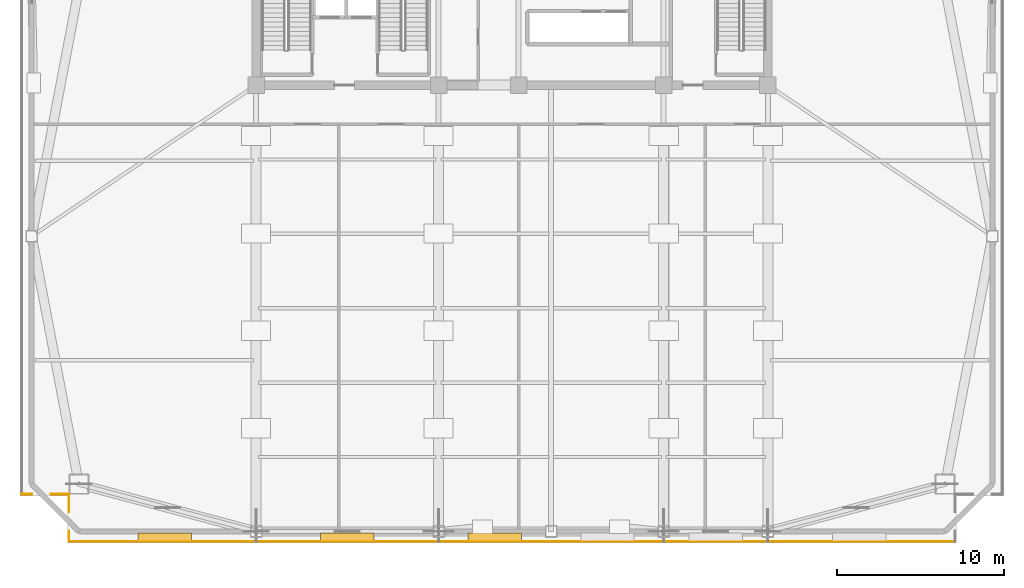
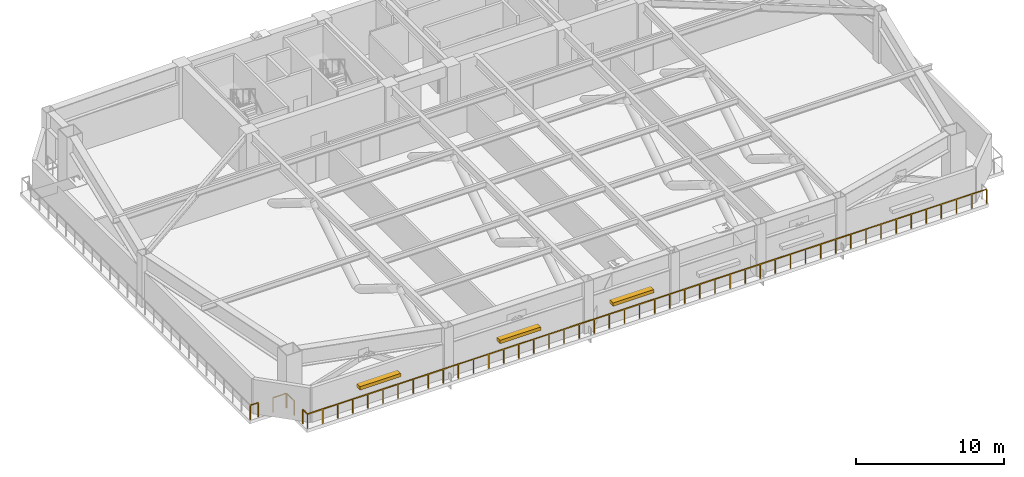
# One storey, part 6 of 11: 5 railings, 3 shading devices.
"""IFC4 building model written with IfcOpenShell, lengths in metres."""

from ifc_helpers import new_model, si_unit, direction, frame, origin, origin_2d, place, context, subcontext, project, spatial, rectangle, extrude, source, transform, mapped, material, type_object, element, save


model = new_model("IFC4")

# Units and contexts
model_context = context("Model", 3, precision=1e-05, world=origin(), true_north=direction((0.0, 1.0)))
body_context = subcontext(model_context, "Body", "Model", "MODEL_VIEW")
ifc_project = project(units=[si_unit("LENGTHUNIT", "METRE"), si_unit("AREAUNIT", "SQUARE_METRE"), si_unit("VOLUMEUNIT", "CUBIC_METRE"), si_unit("PLANEANGLEUNIT", "RADIAN"), si_unit("MASSUNIT", "GRAM", prefix="KILO")], contexts=[model_context])

# Site, building, storey
site_placement = place(None, origin())
site = spatial("IfcSite", under=ifc_project, at=site_placement, CompositionType="ELEMENT")
building_placement = place(site_placement, origin())
building = spatial("IfcBuilding", under=site, at=building_placement, Name="Giltprow Tower", CompositionType="ELEMENT")
storey_placement = place(building_placement, frame((0.0, 0.0, 191.199951171875)))
storey = spatial("IfcBuildingStorey", under=building, at=storey_placement, Name="L48", CompositionType="ELEMENT", Elevation=191.199951171875)

# Railings
ifc_material = material(Name="Anodized bronze", Category="metal")
railing_type = type_object("IfcRailingType", Name="RAIL-BALC-GUARD-1200", PredefinedType="BALUSTRADE", material=ifc_material)
railing_1_placement = place(storey_placement, frame((8.589111328125, 12.916015625, 0.0)))
element("IfcRailing", 1, at=railing_1_placement, inside=storey, type_object=railing_type, Name="L48 Corner Apron Edge Balustrade 1", PredefinedType="BALUSTRADE", context=body_context, shape_type="SweptSolid", body=[
    extrude(rectangle(XDim=0.048095703125, YDim=0.048095703125, at=origin_2d()), frame((0.0, 0.0, 1.17578125), z_axis=(-1.0, 0.0, 0.0), x_axis=(0.0, -1.0, 0.0)), (0.0, 0.0, 1.0), 1.02099609375),
    extrude(rectangle(XDim=0.0419921875, YDim=0.0419921875, at=origin_2d()), origin(), (0.0, 0.0, 1.0), 1.15185546875),
    extrude(rectangle(XDim=0.0419921875, YDim=0.0419921875, at=origin_2d()), frame((-1.02099609375, 0.0, 0.0)), (0.0, 0.0, 1.0), 1.15185546875),
])
railing_2_placement = place(storey_placement, frame((6.407958984375, 12.916015625, 0.0)))
element("IfcRailing", 2, at=railing_2_placement, inside=storey, type_object=railing_type, Name="L48 Corner Apron Edge Balustrade 2", PredefinedType="BALUSTRADE", context=body_context, shape_type="SweptSolid", body=[
    extrude(rectangle(XDim=0.048095703125, YDim=0.048095703125, at=origin_2d()), frame((0.0, 0.0, 1.17578125), z_axis=(-1.0, 0.0, 0.0), x_axis=(0.0, -1.0, 0.0)), (0.0, 0.0, 1.0), 0.618896484375),
    extrude(rectangle(XDim=0.0419921875, YDim=0.0419921875, at=origin_2d()), origin(), (0.0, 0.0, 1.0), 1.15185546875),
    extrude(rectangle(XDim=0.0419921875, YDim=0.0419921875, at=origin_2d()), frame((-0.618896484375, 0.0, 0.0)), (0.0, 0.0, 1.0), 1.15185546875),
])
railing_3_placement = place(storey_placement, frame((61.777099609375, 10.080078125, 0.0)))
element("IfcRailing", 3, at=railing_3_placement, inside=storey, type_object=railing_type, Name="L48 Corner Apron Edge Balustrade 17", PredefinedType="BALUSTRADE", context=body_context, shape_type="SweptSolid", body=[
    extrude(rectangle(XDim=0.048095703125, YDim=0.048095703125, at=origin_2d()), frame((0.0, 0.0, 1.17578125), z_axis=(-1.0, 0.0, 0.0), x_axis=(0.0, -1.0, 0.0)), (0.0, 0.0, 1.0), 53.153076171875),
    extrude(rectangle(XDim=0.0419921875, YDim=0.0419921875, at=origin_2d()), origin(), (0.0, 0.0, 1.0), 1.15185546875),
    extrude(rectangle(XDim=0.0419921875, YDim=0.0419921875, at=origin_2d()), frame((-1.18115234375, 0.0, 0.0)), (0.0, 0.0, 1.0), 1.15185546875),
    extrude(rectangle(XDim=0.0419921875, YDim=0.0419921875, at=origin_2d()), frame((-2.3623046875, 0.0, 0.0)), (0.0, 0.0, 1.0), 1.15185546875),
    extrude(rectangle(XDim=0.0419921875, YDim=0.0419921875, at=origin_2d()), frame((-3.54345703125, 0.0, 0.0)), (0.0, 0.0, 1.0), 1.15185546875),
    extrude(rectangle(XDim=0.0419921875, YDim=0.0419921875, at=origin_2d()), frame((-4.724609375, 0.0, 0.0)), (0.0, 0.0, 1.0), 1.15185546875),
    extrude(rectangle(XDim=0.0419921875, YDim=0.0419921875, at=origin_2d()), frame((-5.906005859375, 0.0, 0.0)), (0.0, 0.0, 1.0), 1.15185546875),
    extrude(rectangle(XDim=0.0419921875, YDim=0.0419921875, at=origin_2d()), frame((-7.087158203125, 0.0, 0.0)), (0.0, 0.0, 1.0), 1.15185546875),
    extrude(rectangle(XDim=0.0419921875, YDim=0.0419921875, at=origin_2d()), frame((-8.268310546875, 0.0, 0.0)), (0.0, 0.0, 1.0), 1.15185546875),
    extrude(rectangle(XDim=0.0419921875, YDim=0.0419921875, at=origin_2d()), frame((-9.449462890625, 0.0, 0.0)), (0.0, 0.0, 1.0), 1.15185546875),
    extrude(rectangle(XDim=0.0419921875, YDim=0.0419921875, at=origin_2d()), frame((-10.630615234375, 0.0, 0.0)), (0.0, 0.0, 1.0), 1.15185546875),
    extrude(rectangle(XDim=0.0419921875, YDim=0.0419921875, at=origin_2d()), frame((-11.811767578125, 0.0, 0.0)), (0.0, 0.0, 1.0), 1.15185546875),
    extrude(rectangle(XDim=0.0419921875, YDim=0.0419921875, at=origin_2d()), frame((-12.992919921875, 0.0, 0.0)), (0.0, 0.0, 1.0), 1.15185546875),
    extrude(rectangle(XDim=0.0419921875, YDim=0.0419921875, at=origin_2d()), frame((-14.174072265625, 0.0, 0.0)), (0.0, 0.0, 1.0), 1.15185546875),
    extrude(rectangle(XDim=0.0419921875, YDim=0.0419921875, at=origin_2d()), frame((-15.355224609375, 0.0, 0.0)), (0.0, 0.0, 1.0), 1.15185546875),
    extrude(rectangle(XDim=0.0419921875, YDim=0.0419921875, at=origin_2d()), frame((-16.53662109375, 0.0, 0.0)), (0.0, 0.0, 1.0), 1.15185546875),
    extrude(rectangle(XDim=0.0419921875, YDim=0.0419921875, at=origin_2d()), frame((-17.7177734375, 0.0, 0.0)), (0.0, 0.0, 1.0), 1.15185546875),
    extrude(rectangle(XDim=0.0419921875, YDim=0.0419921875, at=origin_2d()), frame((-18.89892578125, 0.0, 0.0)), (0.0, 0.0, 1.0), 1.15185546875),
    extrude(rectangle(XDim=0.0419921875, YDim=0.0419921875, at=origin_2d()), frame((-20.080078125, 0.0, 0.0)), (0.0, 0.0, 1.0), 1.15185546875),
    extrude(rectangle(XDim=0.0419921875, YDim=0.0419921875, at=origin_2d()), frame((-21.26123046875, 0.0, 0.0)), (0.0, 0.0, 1.0), 1.15185546875),
    extrude(rectangle(XDim=0.0419921875, YDim=0.0419921875, at=origin_2d()), frame((-22.4423828125, 0.0, 0.0)), (0.0, 0.0, 1.0), 1.15185546875),
    extrude(rectangle(XDim=0.0419921875, YDim=0.0419921875, at=origin_2d()), frame((-23.62353515625, 0.0, 0.0)), (0.0, 0.0, 1.0), 1.15185546875),
    extrude(rectangle(XDim=0.0419921875, YDim=0.0419921875, at=origin_2d()), frame((-24.8046875, 0.0, 0.0)), (0.0, 0.0, 1.0), 1.15185546875),
    extrude(rectangle(XDim=0.0419921875, YDim=0.0419921875, at=origin_2d()), frame((-25.98583984375, 0.0, 0.0)), (0.0, 0.0, 1.0), 1.15185546875),
    extrude(rectangle(XDim=0.0419921875, YDim=0.0419921875, at=origin_2d()), frame((-27.167236328125, 0.0, 0.0)), (0.0, 0.0, 1.0), 1.15185546875),
    extrude(rectangle(XDim=0.0419921875, YDim=0.0419921875, at=origin_2d()), frame((-28.348388671875, 0.0, 0.0)), (0.0, 0.0, 1.0), 1.15185546875),
    extrude(rectangle(XDim=0.0419921875, YDim=0.0419921875, at=origin_2d()), frame((-29.529541015625, 0.0, 0.0)), (0.0, 0.0, 1.0), 1.15185546875),
    extrude(rectangle(XDim=0.0419921875, YDim=0.0419921875, at=origin_2d()), frame((-30.710693359375, 0.0, 0.0)), (0.0, 0.0, 1.0), 1.15185546875),
    extrude(rectangle(XDim=0.0419921875, YDim=0.0419921875, at=origin_2d()), frame((-31.891845703125, 0.0, 0.0)), (0.0, 0.0, 1.0), 1.15185546875),
    extrude(rectangle(XDim=0.0419921875, YDim=0.0419921875, at=origin_2d()), frame((-33.072998046875, 0.0, 0.0)), (0.0, 0.0, 1.0), 1.15185546875),
    extrude(rectangle(XDim=0.0419921875, YDim=0.0419921875, at=origin_2d()), frame((-34.254150390625, 0.0, 0.0)), (0.0, 0.0, 1.0), 1.15185546875),
    extrude(rectangle(XDim=0.0419921875, YDim=0.0419921875, at=origin_2d()), frame((-35.435302734375, 0.0, 0.0)), (0.0, 0.0, 1.0), 1.15185546875),
    extrude(rectangle(XDim=0.0419921875, YDim=0.0419921875, at=origin_2d()), frame((-36.616455078125, 0.0, 0.0)), (0.0, 0.0, 1.0), 1.15185546875),
    extrude(rectangle(XDim=0.0419921875, YDim=0.0419921875, at=origin_2d()), frame((-37.7978515625, 0.0, 0.0)), (0.0, 0.0, 1.0), 1.15185546875),
    extrude(rectangle(XDim=0.0419921875, YDim=0.0419921875, at=origin_2d()), frame((-38.97900390625, 0.0, 0.0)), (0.0, 0.0, 1.0), 1.15185546875),
    extrude(rectangle(XDim=0.0419921875, YDim=0.0419921875, at=origin_2d()), frame((-40.16015625, 0.0, 0.0)), (0.0, 0.0, 1.0), 1.15185546875),
    extrude(rectangle(XDim=0.0419921875, YDim=0.0419921875, at=origin_2d()), frame((-41.34130859375, 0.0, 0.0)), (0.0, 0.0, 1.0), 1.15185546875),
    extrude(rectangle(XDim=0.0419921875, YDim=0.0419921875, at=origin_2d()), frame((-42.5224609375, 0.0, 0.0)), (0.0, 0.0, 1.0), 1.15185546875),
    extrude(rectangle(XDim=0.0419921875, YDim=0.0419921875, at=origin_2d()), frame((-43.70361328125, 0.0, 0.0)), (0.0, 0.0, 1.0), 1.15185546875),
    extrude(rectangle(XDim=0.0419921875, YDim=0.0419921875, at=origin_2d()), frame((-44.884765625, 0.0, 0.0)), (0.0, 0.0, 1.0), 1.15185546875),
    extrude(rectangle(XDim=0.0419921875, YDim=0.0419921875, at=origin_2d()), frame((-46.06591796875, 0.0, 0.0)), (0.0, 0.0, 1.0), 1.15185546875),
    extrude(rectangle(XDim=0.0419921875, YDim=0.0419921875, at=origin_2d()), frame((-47.2470703125, 0.0, 0.0)), (0.0, 0.0, 1.0), 1.15185546875),
    extrude(rectangle(XDim=0.0419921875, YDim=0.0419921875, at=origin_2d()), frame((-48.428466796875, 0.0, 0.0)), (0.0, 0.0, 1.0), 1.15185546875),
    extrude(rectangle(XDim=0.0419921875, YDim=0.0419921875, at=origin_2d()), frame((-49.609619140625, 0.0, 0.0)), (0.0, 0.0, 1.0), 1.15185546875),
    extrude(rectangle(XDim=0.0419921875, YDim=0.0419921875, at=origin_2d()), frame((-50.790771484375, 0.0, 0.0)), (0.0, 0.0, 1.0), 1.15185546875),
    extrude(rectangle(XDim=0.0419921875, YDim=0.0419921875, at=origin_2d()), frame((-51.971923828125, 0.0, 0.0)), (0.0, 0.0, 1.0), 1.15185546875),
    extrude(rectangle(XDim=0.0419921875, YDim=0.0419921875, at=origin_2d()), frame((-53.153076171875, 0.0, 0.0)), (0.0, 0.0, 1.0), 1.15185546875),
])
railing_4_placement = place(storey_placement, frame((8.6240234375, 10.080078125, 0.0)))
element("IfcRailing", 4, at=railing_4_placement, inside=storey, type_object=railing_type, Name="L48 Corner Apron Edge Balustrade 18", PredefinedType="BALUSTRADE", context=body_context, shape_type="SweptSolid", body=[
    extrude(rectangle(XDim=0.048095703125, YDim=0.048095703125, at=origin_2d()), frame((0.0, 0.0, 1.17578125), z_axis=(0.0, 1.0, 0.0), x_axis=(-1.0, 0.0, 0.0)), (0.0, 0.0, 1.0), 0.619873046875),
    extrude(rectangle(XDim=0.0419921875, YDim=0.0419921875, at=origin_2d()), origin(), (0.0, 0.0, 1.0), 1.15185546875),
    extrude(rectangle(XDim=0.0419921875, YDim=0.0419921875, at=origin_2d()), frame((0.0, 0.619873046875, 0.0)), (0.0, 0.0, 1.0), 1.15185546875),
])
railing_5_placement = place(storey_placement, frame((8.6240234375, 11.860107421875, 0.0)))
element("IfcRailing", 5, at=railing_5_placement, inside=storey, type_object=railing_type, Name="L48 Corner Apron Edge Balustrade 19", PredefinedType="BALUSTRADE", context=body_context, shape_type="SweptSolid", body=[
    extrude(rectangle(XDim=0.048095703125, YDim=0.048095703125, at=origin_2d()), frame((0.0, 0.0, 1.17578125), z_axis=(0.0, 1.0, 0.0), x_axis=(-1.0, 0.0, 0.0)), (0.0, 0.0, 1.0), 1.019775390625),
    extrude(rectangle(XDim=0.0419921875, YDim=0.0419921875, at=origin_2d()), origin(), (0.0, 0.0, 1.0), 1.15185546875),
    extrude(rectangle(XDim=0.0419921875, YDim=0.0419921875, at=origin_2d()), frame((0.0, 1.019775390625, 0.0)), (0.0, 0.0, 1.0), 1.15185546875),
])

# Shading devices
shading_device_type = type_object("IfcShadingDeviceType", Name="SHD-LOUVRE-320", PredefinedType="JALOUSIE", material=ifc_material)
shared_shape = source(origin(), body_context, "Body", "SweptSolid", [
    extrude(rectangle(XDim=3.199951171875, YDim=0.449951171875, at=origin_2d()), origin(), (0.0, 0.0, 1.0), 0.280029296875),
])
for number, where, z_axis, x_axis, name in (
    (6, (14.362060546875, 10.3701171875, 1.66015625), (0.0, 0.0, 1.0), (1.0, 0.0, 0.0), "L48 Refuge Intake Louvre S-1"),
    (7, (25.324951171875, 10.3701171875, 1.66015625), (0.0, 0.0, 1.0), (1.0, 0.0, 0.0), "L48 Refuge Intake Louvre S-2"),
    (8, (34.175048828125, 10.3701171875, 1.66015625), (0.0, 0.0, 1.0), (1.0, 0.0, 0.0), "L48 Refuge Intake Louvre S-3"),
):
    element("IfcShadingDevice", number, at=place(storey_placement, frame(where, z_axis=z_axis, x_axis=x_axis)), inside=storey, type_object=shading_device_type, Name=name, PredefinedType="JALOUSIE", context=body_context, shape_type="MappedRepresentation", body=[
        mapped(shared_shape, transform((0.0, 0.0, 0.0), x_axis=(1.0, 0.0, 0.0), y_axis=(0.0, 1.0, 0.0), z_axis=(0.0, 0.0, 1.0), scale=1.0)),
    ])

save(model, "model.ifc")
